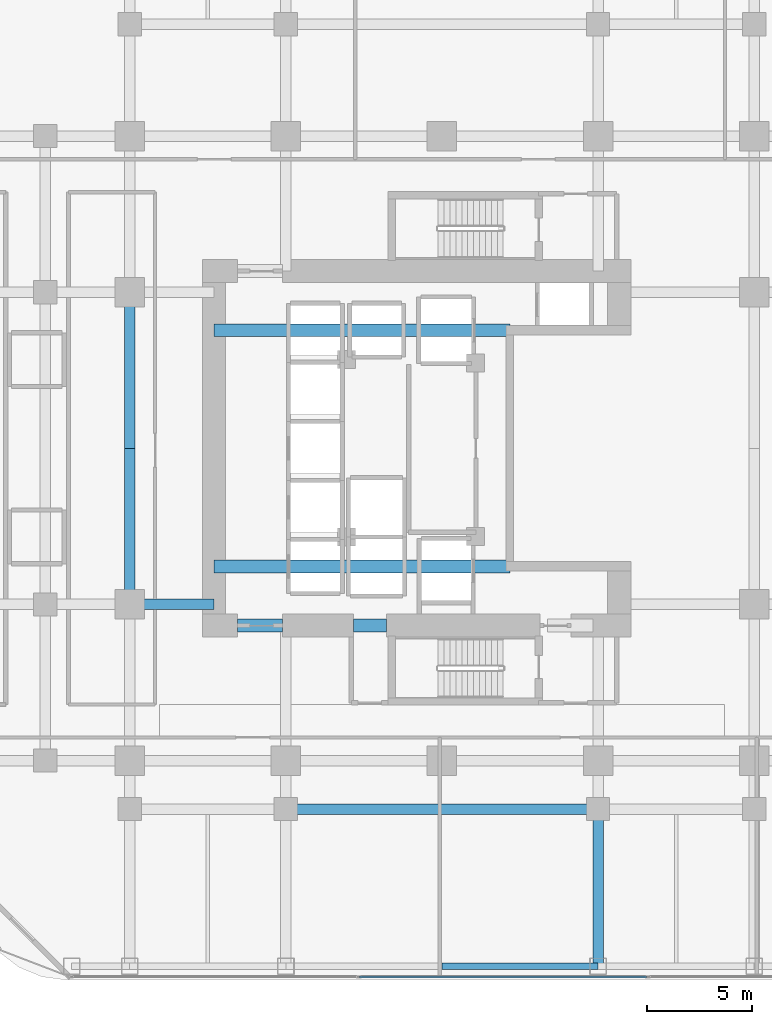
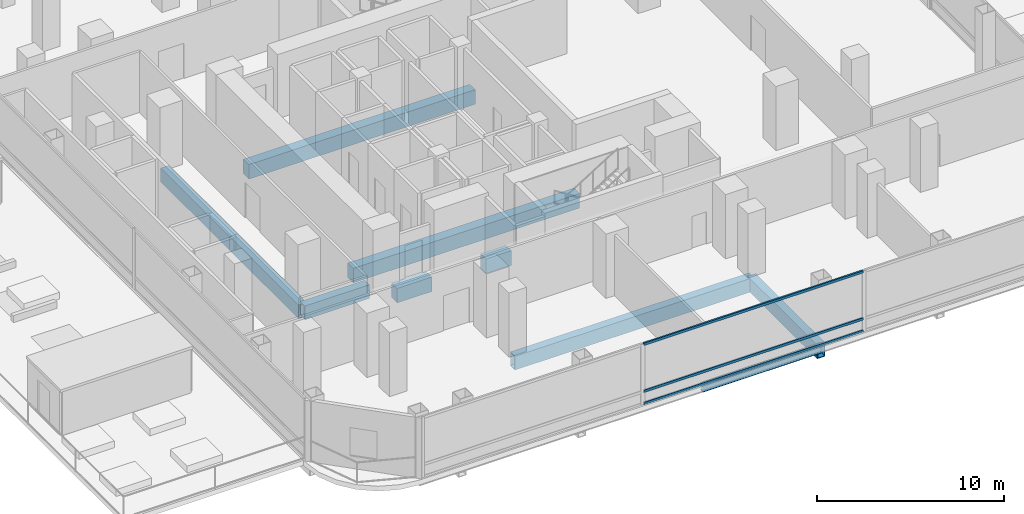
# One storey, part 7 of 29: 10 beams, 3 members, 1 element without a shape of its own.
"""IFC4 building model written with IfcOpenShell, lengths in metres."""

from ifc_helpers import new_model, si_unit, direction, frame, origin, origin_2d, place, context, subcontext, project, spatial, rectangle, hollow_rectangle, i_section, extrude, material, layer, layer_set, material_profile, profile_set, type_object, element, aggregate, save


model = new_model("IFC4")

# Units and contexts
model_context = context("Model", 3, precision=1e-05, world=origin(), true_north=direction((0.0, 1.0)))
body_context = subcontext(model_context, "Body", "Model", "MODEL_VIEW")
ifc_project = project(units=[si_unit("LENGTHUNIT", "METRE"), si_unit("AREAUNIT", "SQUARE_METRE"), si_unit("VOLUMEUNIT", "CUBIC_METRE"), si_unit("PLANEANGLEUNIT", "RADIAN"), si_unit("MASSUNIT", "GRAM", prefix="KILO")], contexts=[model_context])

# Site, building, storey
site_placement = place(None, origin())
site = spatial("IfcSite", under=ifc_project, at=site_placement, CompositionType="ELEMENT")
building_placement = place(site_placement, origin())
building = spatial("IfcBuilding", under=site, at=building_placement, Name="Khorvyn Point Tower", CompositionType="ELEMENT")
storey_placement = place(building_placement, frame((0.0, 0.0, 26.39990234375)))
storey = spatial("IfcBuildingStorey", under=building, at=storey_placement, Name="L07", CompositionType="ELEMENT", Elevation=26.39990234375)

# Curtain wall, members
ifc_material_1 = material(Name="Anodised aluminium 6063-T6 and laminated Low-E glass", Category="aluminium")
ifc_layer = layer(ifc_material_1, 0.18994140625)
ifc_layer_set = layer_set([ifc_layer], Name="Stick-Built Finned Residential Curtain Wall CW-SYS-02")
curtain_wall_type = type_object("IfcCurtainWallType", Name="Stick-Built Finned Residential Curtain Wall CW-SYS-02", PredefinedType="NOTDEFINED", material=ifc_layer_set)
curtain_wall_placement = place(storey_placement, origin())
curtain_wall = element("IfcCurtainWall", 1, at=curtain_wall_placement, inside=storey, type_object=curtain_wall_type, Name="Curtain Wall", PredefinedType="NOTDEFINED")
ifc_material_2 = material(Name="Anodised aluminium 6063-T6", Category="aluminium")
ifc_material_profile_1 = material_profile(ifc_material_2, hollow_rectangle(XDim=0.10009765625, YDim=0.159912109375, WallThickness=0.00439453125, at=origin_2d()))
ifc_profile_set_1 = profile_set([ifc_material_profile_1], Name="Anodised aluminium 6063-T6 ALU-TRN-100x160")
member_type = type_object("IfcMemberType", Name="Anodised Aluminium 6063-T6 Transom ALU-TRN-100x160", PredefinedType="USERDEFINED", material=ifc_profile_set_1)
member_1_placement = place(storey_placement, frame((9.699951171875, -25.050048828125, 0.050048828125), z_axis=(-1.0, 0.0, 0.0), x_axis=(0.0, -1.0, 0.0)))
member_1 = element("IfcMember", 2, at=member_1_placement, type_object=member_type, Name="Transom", ObjectType="TRANSOM", PredefinedType="USERDEFINED", context=body_context, shape_type="SweptSolid", body=[
    extrude(hollow_rectangle(XDim=0.10009765625, YDim=0.159912109375, WallThickness=0.00439453125, at=origin_2d()), origin(), (0.0, 0.0, 1.0), 13.599853515625),
])
member_2_placement = place(storey_placement, frame((9.699951171875, -25.050048828125, 0.85009765625), z_axis=(-1.0, 0.0, 0.0), x_axis=(0.0, -1.0, 0.0)))
member_2 = element("IfcMember", 3, at=member_2_placement, type_object=member_type, Name="Transom", ObjectType="TRANSOM", PredefinedType="USERDEFINED", context=body_context, shape_type="SweptSolid", body=[
    extrude(hollow_rectangle(XDim=0.10009765625, YDim=0.159912109375, WallThickness=0.00439453125, at=origin_2d()), origin(), (0.0, 0.0, 1.0), 13.599853515625),
])
member_3_placement = place(storey_placement, frame((9.699951171875, -25.050048828125, 3.93017578125), z_axis=(-1.0, 0.0, 0.0), x_axis=(0.0, -1.0, 0.0)))
member_3 = element("IfcMember", 4, at=member_3_placement, type_object=member_type, Name="Transom", ObjectType="TRANSOM", PredefinedType="USERDEFINED", context=body_context, shape_type="SweptSolid", body=[
    extrude(hollow_rectangle(XDim=0.10009765625, YDim=0.159912109375, WallThickness=0.00439453125, at=origin_2d()), origin(), (0.0, 0.0, 1.0), 13.599853515625),
])
aggregate(curtain_wall, [member_1, member_2, member_3])

# Beams
ifc_material_3 = material(Name="Concrete C50/60", Category="concrete")
ifc_material_profile_2 = material_profile(ifc_material_3, rectangle(XDim=0.60009765625, YDim=0.949951171875, at=origin_2d()))
ifc_profile_set_2 = profile_set([ifc_material_profile_2], Name="Concrete C50/60 RC600x950")
beam_type_1 = type_object("IfcBeamType", Name="Concrete C50/60 Beam RC600x950", PredefinedType="BEAM", material=ifc_profile_set_2)
for number, where, z_axis, x_axis, name in (
    (5, (-10.800048828125, -5.60009765625, -0.794921875), (1.0, 0.0, 0.0), (0.0, 1.0, 0.0), "L07 Core Internal Tie Girder S"),
    (6, (-10.800048828125, 5.60009765625, -0.794921875), (1.0, 0.0, 0.0), (0.0, 1.0, 0.0), "L07 Core Internal Tie Girder N"),
):
    element("IfcBeam", number, at=place(storey_placement, frame(where, z_axis=z_axis, x_axis=x_axis)), inside=storey, type_object=beam_type_1, Name=name, PredefinedType="BEAM", context=body_context, shape_type="SweptSolid", body=[
        extrude(rectangle(XDim=0.60009765625, YDim=0.949951171875, at=origin_2d()), origin(), (0.0, 0.0, 1.0), 14.02001953125),
    ])
beam_1_placement = place(storey_placement, frame((-9.699951171875, -8.39990234375, -0.794921875), z_axis=(1.0, 0.0, 0.0), x_axis=(0.0, 1.0, 0.0)))
element("IfcBeam", 7, at=beam_1_placement, inside=storey, type_object=beam_type_1, Name="L07 Core Southwest Portal Coupling Beam", PredefinedType="BEAM", context=body_context, shape_type="SweptSolid", body=[
    extrude(rectangle(XDim=0.60009765625, YDim=0.949951171875, at=origin_2d()), origin(), (0.0, 0.0, 1.0), 2.14990234375),
])
beam_2_placement = place(storey_placement, frame((-4.199951171875, -8.39990234375, -0.794921875), z_axis=(1.0, 0.0, 0.0), x_axis=(0.0, 1.0, 0.0)))
element("IfcBeam", 8, at=beam_2_placement, inside=storey, type_object=beam_type_1, Name="L07 Core Shuttle Portal Coupling Beam", PredefinedType="BEAM", context=body_context, shape_type="SweptSolid", body=[
    extrude(rectangle(XDim=0.60009765625, YDim=0.949951171875, at=origin_2d()), origin(), (0.0, 0.0, 1.0), 1.579833984375),
])
ifc_material_4 = material(Name="Steel S355", Category="steel")
ifc_material_profile_3 = material_profile(ifc_material_4, i_section(OverallWidth=0.300048828125, OverallDepth=0.488037109375, WebThickness=0.010986328125, FlangeThickness=0.01806640625, at=origin_2d()))
ifc_profile_set_3 = profile_set([ifc_material_profile_3], Name="Steel S355 H488x300x11x18")
beam_type_2 = type_object("IfcBeamType", Name="Steel S355 Spandrel H488x300x11x18", PredefinedType="SPANDREL", material=ifc_profile_set_3)
beam_3_placement = place(storey_placement, frame((0.0, -24.550048828125, -0.56396484375), z_axis=(1.0, 0.0, 0.0), x_axis=(0.0, 1.0, 0.0)))
element("IfcBeam", 9, at=beam_3_placement, inside=storey, type_object=beam_type_2, Name="Beam", PredefinedType="SPANDREL", context=body_context, shape_type="SweptSolid", body=[
    extrude(i_section(OverallWidth=0.300048828125, OverallDepth=0.488037109375, WebThickness=0.010986328125, FlangeThickness=0.01806640625, at=origin_2d()), origin(), (0.0, 0.0, 1.0), 7.39990234375),
])
ifc_material_5 = material(Name="Steel S450", Category="steel")
ifc_material_profile_4 = material_profile(ifc_material_5, hollow_rectangle(XDim=0.5, YDim=0.89990234375, WallThickness=0.0400390625, at=origin_2d()))
ifc_profile_set_4 = profile_set([ifc_material_profile_4], Name="Steel S450 BOX900x500x40")
beam_type_3 = type_object("IfcBeamType", Name="Steel S450 Beam BOX900x500x40", PredefinedType="BEAM", material=ifc_profile_set_4)
beam_4_placement = place(storey_placement, frame((-14.800048828125, -7.39990234375, -0.77001953125), z_axis=(1.0, 0.0, 0.0), x_axis=(0.0, 1.0, 0.0)))
element("IfcBeam", 10, at=beam_4_placement, inside=storey, type_object=beam_type_3, Name="Beam", PredefinedType="BEAM", context=body_context, shape_type="SweptSolid", body=[
    extrude(hollow_rectangle(XDim=0.5, YDim=0.89990234375, WallThickness=0.0400390625, at=origin_2d()), origin(), (0.0, 0.0, 1.0), 4.0),
])
beam_5_placement = place(storey_placement, frame((-7.39990234375, -17.10009765625, -0.77001953125), z_axis=(1.0, 0.0, 0.0), x_axis=(0.0, 1.0, 0.0)))
element("IfcBeam", 11, at=beam_5_placement, inside=storey, type_object=beam_type_3, Name="Beam", PredefinedType="BEAM", context=body_context, shape_type="SweptSolid", body=[
    extrude(hollow_rectangle(XDim=0.5, YDim=0.89990234375, WallThickness=0.0400390625, at=origin_2d()), origin(), (0.0, 0.0, 1.0), 14.7998046875),
])
for number, where, z_axis, x_axis, name in (
    (12, (-14.800048828125, -7.39990234375, -0.77001953125), (0.0, 1.0, 0.0), (-1.0, 0.0, 0.0), "L07 Radial Transfer Girder"),
    (13, (-14.800048828125, 0.0, -0.77001953125), (0.0, 1.0, 0.0), (-1.0, 0.0, 0.0), "L07 Radial Transfer Girder"),
):
    element("IfcBeam", number, at=place(storey_placement, frame(where, z_axis=z_axis, x_axis=x_axis)), inside=storey, type_object=beam_type_3, Name=name, PredefinedType="BEAM", context=body_context, shape_type="SweptSolid", body=[
        extrude(hollow_rectangle(XDim=0.5, YDim=0.89990234375, WallThickness=0.0400390625, at=origin_2d()), origin(), (0.0, 0.0, 1.0), 7.39990234375),
    ])
beam_6_placement = place(storey_placement, frame((7.39990234375, -24.550048828125, -0.77001953125), z_axis=(0.0, 1.0, 0.0), x_axis=(-1.0, 0.0, 0.0)))
element("IfcBeam", 14, at=beam_6_placement, inside=storey, type_object=beam_type_3, Name="Beam", PredefinedType="BEAM", context=body_context, shape_type="SweptSolid", body=[
    extrude(hollow_rectangle(XDim=0.5, YDim=0.89990234375, WallThickness=0.0400390625, at=origin_2d()), origin(), (0.0, 0.0, 1.0), 7.449951171875),
])

save(model, "model.ifc")
